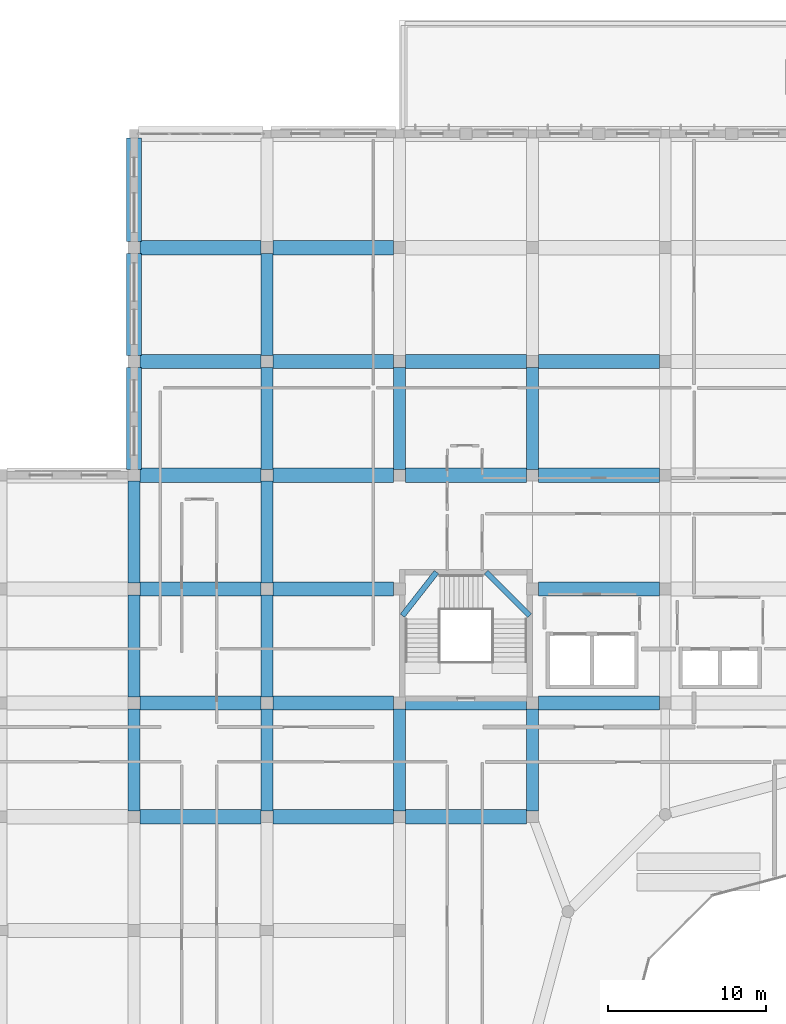
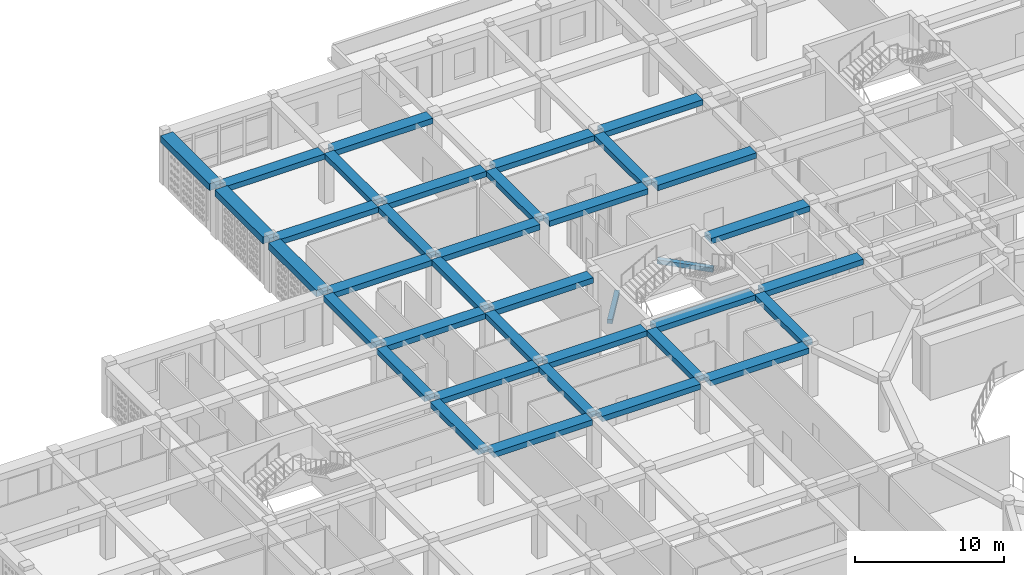
# One storey, part 34 of 111: 37 beams.
"""IFC4 building model written with IfcOpenShell, lengths in metres."""

import ifcopenshell
import ifcopenshell.guid

model = None  # the IFC model being written
_history = None  # IfcOwnerHistory: only IFC2X3 demands one
_inside = {}  # id of a spatial element -> (the spatial element, [elements in it])
_under = {}  # id of a project, library or spatial element -> (it, [spatial elements below it])
_declared = {}  # id of a project -> (the project, [libraries it declares])
_typed = {}  # id of a type object -> (the type object, [elements of that type])
_made_of = {}  # id of a material, layer set ... -> (it, [elements and type objects made of it])


def new_model(schema):
    """Start an empty IFC model of exactly this schema.

    Asked for "IFC4X3", IfcOpenShell would pick the latest addendum, in which some entities
    have other attributes; the version numbers below select the first issue.
    IFC2X3 requires an IfcOwnerHistory on every rooted entity: one is made here for all.
    """
    global model, _history
    if schema == "IFC4X3":
        model = ifcopenshell.file(schema_version=(4, 3, 0, 0))
    else:
        model = ifcopenshell.file(schema=schema)
    _inside.clear()
    _under.clear()
    _declared.clear()
    _typed.clear()
    _made_of.clear()
    _history = None
    if model.schema == "IFC2X3":
        org = make("IfcOrganization", Name="unknown")
        user = make(
            "IfcPersonAndOrganization",
            ThePerson=make("IfcPerson", FamilyName="unknown"),
            TheOrganization=org,
        )
        app = make(
            "IfcApplication",
            ApplicationDeveloper=org,
            Version="unknown",
            ApplicationFullName="unknown",
            ApplicationIdentifier="unknown",
        )
        _history = make(
            "IfcOwnerHistory",
            OwningUser=user,
            OwningApplication=app,
            ChangeAction="ADDED",
            CreationDate=0,
        )
    return model


def make(cls, **values):
    """One entity of the class cls with the attributes given. An attribute that is None is left unset."""
    return model.create_entity(
        cls, **{name: value for name, value in values.items() if value is not None}
    )


def rooted(cls, **values):
    """An entity with a GlobalId (a new one), such as an element, a storey or a relation."""
    return make(cls, GlobalId=ifcopenshell.guid.new(), OwnerHistory=_history, **values)


def si_unit(unit_type, name, prefix=None):
    """IfcSIUnit, for example si_unit("LENGTHUNIT", "METRE", prefix="MILLI")."""
    return make("IfcSIUnit", UnitType=unit_type, Prefix=prefix, Name=name)


def derived_unit(unit_type, elements):
    """IfcDerivedUnit: a product of units, each with its exponent."""
    return make(
        "IfcDerivedUnit",
        Elements=[
            make("IfcDerivedUnitElement", Unit=unit, Exponent=power)
            for unit, power in elements
        ],
        UnitType=unit_type,
    )


def assignment(units):
    """IfcUnitAssignment: the units of a project."""
    return None if units is None else make("IfcUnitAssignment", Units=units)


def point(xyz):
    """IfcCartesianPoint."""
    return None if xyz is None else make("IfcCartesianPoint", Coordinates=xyz)


def direction(xyz):
    """IfcDirection."""
    return None if xyz is None else make("IfcDirection", DirectionRatios=xyz)


def frame(location, z_axis=None, x_axis=None):
    """IfcAxis2Placement3D, a coordinate frame: its origin and axes. An axis left out is left unset."""
    return make(
        "IfcAxis2Placement3D",
        Location=point(location),
        Axis=direction(z_axis),
        RefDirection=direction(x_axis),
    )


def frame_2d(location, x_axis=None):
    """IfcAxis2Placement2D, a coordinate frame in the plane: its origin and x axis."""
    return make(
        "IfcAxis2Placement2D", Location=point(location), RefDirection=direction(x_axis)
    )


def origin():
    """The frame at (0, 0, 0) with its axes left unset."""
    return frame((0.0, 0.0, 0.0))


def origin_2d():
    """The frame at (0, 0) in the plane with its x axis left unset."""
    return frame_2d((0.0, 0.0))


def place(relative_to, where):
    """IfcLocalPlacement: puts the frame where relative to a parent placement (None: the world)."""
    return make(
        "IfcLocalPlacement", PlacementRelTo=relative_to, RelativePlacement=where
    )


def context(
    kind, dimensions, precision=None, world=None, true_north=None, identifier=None
):
    """IfcGeometricRepresentationContext, for example the 3D "Model" context."""
    return make(
        "IfcGeometricRepresentationContext",
        ContextIdentifier=identifier,
        ContextType=kind,
        CoordinateSpaceDimension=dimensions,
        Precision=precision,
        WorldCoordinateSystem=world,
        TrueNorth=true_north,
    )


def subcontext(parent, identifier, kind, view, scale=None):
    """IfcGeometricRepresentationSubContext, for example "Body" below "Model"."""
    return make(
        "IfcGeometricRepresentationSubContext",
        ContextIdentifier=identifier,
        ContextType=kind,
        ParentContext=parent,
        TargetScale=scale,
        TargetView=view,
    )


def project(units=None, contexts=None):
    """IfcProject with its units and contexts."""
    return rooted(
        "IfcProject",
        Name="project",
        RepresentationContexts=contexts,
        UnitsInContext=assignment(units),
    )


def spatial(cls, under=None, at=None, **own):
    """A site, building, storey or space (cls), placed at a placement, below another one or the project."""
    s = rooted(cls, ObjectPlacement=at, **own)
    if under is not None:
        _under.setdefault(under.id(), (under, []))[1].append(s)
    return s


def profile(cls, at=None, kind="AREA", **sizes):
    """A parametric profile (cls). Its sizes go by their IFC names, for example OverallWidth=200.0."""
    return make(cls, ProfileType=kind, Position=at, **sizes)


def rectangle(**sizes):
    """IfcRectangleProfileDef."""
    return profile("IfcRectangleProfileDef", **sizes)


def extrude(swept, where, along, depth):
    """IfcExtrudedAreaSolid: the profile swept, set in the frame where, extruded along a direction by depth."""
    return make(
        "IfcExtrudedAreaSolid",
        SweptArea=swept,
        Position=where,
        ExtrudedDirection=direction(along),
        Depth=depth,
    )


def shape(context_of_items, identifier, shape_type, items):
    """IfcShapeRepresentation: the items that make up one representation, for example the "Body"."""
    return make(
        "IfcShapeRepresentation",
        ContextOfItems=context_of_items,
        RepresentationIdentifier=identifier,
        RepresentationType=shape_type,
        Items=items,
    )


def material(Name=None, Category=None):
    """IfcMaterial."""
    return make("IfcMaterial", Name=Name, Category=Category)


def material_profile(
    of_material, cross_section, Name=None, Category=None, Priority=None
):
    """IfcMaterialProfile: a cross section and its material."""
    return make(
        "IfcMaterialProfile",
        Name=Name,
        Material=of_material,
        Profile=cross_section,
        Priority=Priority,
        Category=Category,
    )


def profile_set(profiles, Name=None, composite=None):
    """IfcMaterialProfileSet."""
    return make(
        "IfcMaterialProfileSet",
        Name=Name,
        MaterialProfiles=profiles,
        CompositeProfile=composite,
    )


def made_of(thing, what):
    """Note that an element or type object is made of a material, layer set ...; save() writes the relation."""
    if what is not None:
        _made_of.setdefault(what.id(), (what, []))[1].append(thing)
    return thing


def type_object(cls, material=None, **own):
    """A type object (cls), such as IfcWallType, which elements share."""
    return made_of(rooted(cls, **own), material)


def element(
    cls,
    number,
    at=None,
    inside=None,
    cuts=None,
    type_object=None,
    material=None,
    context=None,
    identifier="Body",
    shape_type=None,
    held_by="IfcProductDefinitionShape",
    body=None,
    shapes=None,
    **own,
):
    """One element of the class cls, such as IfcWall. Its Tag is "e" and its number.

    at: its placement. inside: the storey or other place that contains it. cuts: it is an
    opening in that element (IfcRelVoidsElement). A single representation is given by context,
    identifier, shape_type and body (its items); several are given by shapes. held_by: the class
    of the entity that holds the representations. save() writes the other relations.
    """
    e = rooted(cls, Tag="e%d" % number, ObjectPlacement=at, **own)
    if body is not None:
        shapes = [shape(context, identifier, shape_type, body)]
    if shapes is not None:
        e.Representation = make(held_by, Representations=shapes)
    if inside is not None:
        _inside.setdefault(inside.id(), (inside, []))[1].append(e)
    if cuts is not None:
        rooted(
            "IfcRelVoidsElement", RelatingBuildingElement=cuts, RelatedOpeningElement=e
        )
    if type_object is not None:
        _typed.setdefault(type_object.id(), (type_object, []))[1].append(e)
    return made_of(e, material)


def aggregate(whole, parts):
    """IfcRelAggregates: a whole, such as a stair, and the parts it consists of."""
    return rooted("IfcRelAggregates", RelatingObject=whole, RelatedObjects=parts)


def save(model, path):
    """Write the relations noted so far, then the file.

    IfcRelAggregates (storeys below a building ...), IfcRelContainedInSpatialStructure (elements
    in a storey), IfcRelDefinesByType, IfcRelAssociatesMaterial and IfcRelDeclares: one each for
    every whole, place, type object, material and project.
    """
    for whole, parts in _under.values():
        aggregate(whole, parts)
    for where, things in _inside.values():
        rooted(
            "IfcRelContainedInSpatialStructure",
            RelatedElements=things,
            RelatingStructure=where,
        )
    for kind, things in _typed.values():
        rooted("IfcRelDefinesByType", RelatedObjects=things, RelatingType=kind)
    for what, things in _made_of.values():
        rooted("IfcRelAssociatesMaterial", RelatedObjects=things, RelatingMaterial=what)
    for by, libraries in _declared.values():
        rooted("IfcRelDeclares", RelatingContext=by, RelatedDefinitions=libraries)
    model.write(path)


model = new_model("IFC4")

# Units and contexts
model_context = context("Model", 3, precision=1e-05, world=origin(), true_north=direction((0.0, 1.0)))
body_context = subcontext(model_context, "Body", "Model", "MODEL_VIEW")
ifc_project = project(units=[si_unit("LENGTHUNIT", "METRE"), si_unit("AREAUNIT", "SQUARE_METRE"), si_unit("VOLUMEUNIT", "CUBIC_METRE"), si_unit("PLANEANGLEUNIT", "RADIAN"), si_unit("MASSUNIT", "GRAM", prefix="KILO"), derived_unit("THERMALTRANSMITTANCEUNIT", [(si_unit("POWERUNIT", "WATT"), 1), (si_unit("LENGTHUNIT", "METRE"), -2), (si_unit("THERMODYNAMICTEMPERATUREUNIT", "KELVIN"), -1)])], contexts=[model_context])

# Site, building, storey
site_placement = place(None, origin())
site = spatial("IfcSite", under=ifc_project, at=site_placement, CompositionType="ELEMENT")
building_placement = place(site_placement, origin())
building = spatial("IfcBuilding", under=site, at=building_placement, Name="Veybourne Emporium", CompositionType="ELEMENT")
storey_placement = place(building_placement, frame((0.0, 0.0, 9.89990234375)))
storey = spatial("IfcBuildingStorey", under=building, at=storey_placement, Name="L02", CompositionType="ELEMENT", Elevation=9.89990234375)

# Beams
ifc_material = material(Name="Concrete C32/40", Category="concrete")
ifc_material_profile_1 = material_profile(ifc_material, rectangle(XDim=0.35009765625, YDim=0.35009765625, at=origin_2d()), Name="RC 350x350")
ifc_profile_set_1 = profile_set([ifc_material_profile_1], Name="Concrete C32/40")
beam_type_1 = type_object("IfcBeamType", Name="LandingBeam_LB-01", PredefinedType="BEAM", material=ifc_profile_set_1)
beam_1_placement = place(storey_placement, frame((50.574951171875, 77.52001953125, 1.125), z_axis=(0.616136975881, 0.787639020714, 0.0), x_axis=(-0.787639020714, 0.616136975881, 0.0)))
element("IfcBeam", 1, at=beam_1_placement, inside=storey, type_object=beam_type_1, Name="L02 ST-03 landing 1 support beam", PredefinedType="BEAM", context=body_context, shape_type="SweptSolid", body=[
    extrude(rectangle(XDim=0.35009765625, YDim=0.35009765625, at=origin_2d()), origin(), (0.0, 0.0, 1.0), 3.49755859375),
])
beam_2_placement = place(storey_placement, frame((55.8701171875, 80.27490234375, 2.625), z_axis=(0.707106781187, -0.707106781187, 0.0), x_axis=(0.707106781187, 0.707106781187, 0.0)))
element("IfcBeam", 2, at=beam_2_placement, inside=storey, type_object=beam_type_1, Name="L02 ST-03 landing 2 support beam", PredefinedType="BEAM", context=body_context, shape_type="SweptSolid", body=[
    extrude(rectangle(XDim=0.35009765625, YDim=0.35009765625, at=origin_2d()), origin(), (0.0, 0.0, 1.0), 3.89599609375),
])
ifc_material_profile_2 = material_profile(ifc_material, rectangle(XDim=0.89990234375, YDim=0.449951171875, at=origin_2d()), Name="RC 900x450")
ifc_profile_set_2 = profile_set([ifc_material_profile_2], Name="Concrete C32/40")
beam_type_2 = type_object("IfcBeamType", Name="RCBeam_BB-03", PredefinedType="BEAM", material=ifc_profile_set_2)
for number, where, z_axis, x_axis, name in (
    (3, (33.97509765625, 64.800048828125, 3.955078125), (1.0, 0.0, 0.0), (0.0, 1.0, 0.0), "L02 X-grid beam BB-03 (4,9)"),
    (4, (33.97509765625, 72.0, 3.955078125), (1.0, 0.0, 0.0), (0.0, 1.0, 0.0), "L02 X-grid beam BB-03 (4,10)"),
    (5, (33.97509765625, 79.199951171875, 3.955078125), (1.0, 0.0, 0.0), (0.0, 1.0, 0.0), "L02 X-grid beam BB-03 (4,11)"),
    (6, (33.97509765625, 86.39990234375, 3.955078125), (1.0, 0.0, 0.0), (0.0, 1.0, 0.0), "L02 X-grid beam BB-03 (4,12)"),
    (7, (33.97509765625, 93.60009765625, 3.955078125), (1.0, 0.0, 0.0), (0.0, 1.0, 0.0), "L02 X-grid beam BB-03 (4,13)"),
    (8, (33.97509765625, 100.800048828125, 3.955078125), (1.0, 0.0, 0.0), (0.0, 1.0, 0.0), "L02 X-grid beam BB-03 (4,14)"),
    (9, (42.375, 64.800048828125, 3.955078125), (1.0, 0.0, 0.0), (0.0, 1.0, 0.0), "L02 X-grid beam BB-03 (5,9)"),
    (10, (42.375, 72.0, 3.955078125), (1.0, 0.0, 0.0), (0.0, 1.0, 0.0), "L02 X-grid beam BB-03 (5,10)"),
    (11, (42.375, 79.199951171875, 3.955078125), (1.0, 0.0, 0.0), (0.0, 1.0, 0.0), "L02 X-grid beam BB-03 (5,11)"),
    (12, (42.375, 86.39990234375, 3.955078125), (1.0, 0.0, 0.0), (0.0, 1.0, 0.0), "L02 X-grid beam BB-03 (5,12)"),
    (13, (42.375, 93.60009765625, 3.955078125), (1.0, 0.0, 0.0), (0.0, 1.0, 0.0), "L02 X-grid beam BB-03 (5,13)"),
    (14, (42.375, 100.800048828125, 3.955078125), (1.0, 0.0, 0.0), (0.0, 1.0, 0.0), "L02 X-grid beam BB-03 (5,14)"),
):
    element("IfcBeam", number, at=place(storey_placement, frame(where, z_axis=z_axis, x_axis=x_axis)), inside=storey, type_object=beam_type_2, Name=name, PredefinedType="BEAM", context=body_context, shape_type="SweptSolid", body=[
        extrude(rectangle(XDim=0.89990234375, YDim=0.449951171875, at=origin_2d()), origin(), (0.0, 0.0, 1.0), 7.64990234375),
    ])
for number, where, z_axis, x_axis, name in (
    (15, (50.77490234375, 64.800048828125, 3.955078125), (1.0, 0.0, 0.0), (0.0, 1.0, 0.0), "L02 X-grid beam BB-03 (6,9)"),
    (16, (50.77490234375, 72.0, 3.955078125), (1.0, 0.0, 0.0), (0.0, 1.0, 0.0), "L02 X-grid beam BB-03 (6,10)"),
    (17, (50.77490234375, 86.39990234375, 3.955078125), (1.0, 0.0, 0.0), (0.0, 1.0, 0.0), "L02 X-grid beam BB-03 (6,12)"),
    (18, (50.77490234375, 93.60009765625, 3.955078125), (1.0, 0.0, 0.0), (0.0, 1.0, 0.0), "L02 X-grid beam BB-03 (6,13)"),
):
    element("IfcBeam", number, at=place(storey_placement, frame(where, z_axis=z_axis, x_axis=x_axis)), inside=storey, type_object=beam_type_2, Name=name, PredefinedType="BEAM", context=body_context, shape_type="SweptSolid", body=[
        extrude(rectangle(XDim=0.89990234375, YDim=0.449951171875, at=origin_2d()), origin(), (0.0, 0.0, 1.0), 7.650146484375),
    ])
for number, where, z_axis, x_axis, name in (
    (19, (59.175048828125, 72.0, 3.955078125), (1.0, 0.0, 0.0), (0.0, 1.0, 0.0), "L02 X-grid beam BB-03 (7,10)"),
    (20, (59.175048828125, 79.199951171875, 3.955078125), (1.0, 0.0, 0.0), (0.0, 1.0, 0.0), "L02 X-grid beam BB-03 (7,11)"),
    (21, (59.175048828125, 86.39990234375, 3.955078125), (1.0, 0.0, 0.0), (0.0, 1.0, 0.0), "L02 X-grid beam BB-03 (7,12)"),
    (22, (59.175048828125, 93.60009765625, 3.955078125), (1.0, 0.0, 0.0), (0.0, 1.0, 0.0), "L02 X-grid beam BB-03 (7,13)"),
):
    element("IfcBeam", number, at=place(storey_placement, frame(where, z_axis=z_axis, x_axis=x_axis)), inside=storey, type_object=beam_type_2, Name=name, PredefinedType="BEAM", context=body_context, shape_type="SweptSolid", body=[
        extrude(rectangle(XDim=0.89990234375, YDim=0.449951171875, at=origin_2d()), origin(), (0.0, 0.0, 1.0), 7.64990234375),
    ])
ifc_material_profile_3 = material_profile(ifc_material, rectangle(XDim=0.75, YDim=0.449951171875, at=origin_2d()), Name="RC 750x450")
ifc_profile_set_3 = profile_set([ifc_material_profile_3], Name="Concrete C32/40")
beam_type_3 = type_object("IfcBeamType", Name="RCBeam_BB-04", PredefinedType="BEAM", material=ifc_profile_set_3)
for number, where, z_axis, x_axis, name in (
    (23, (33.60009765625, 65.175048828125, 3.955078125), (0.0, 1.0, 0.0), (-1.0, 0.0, 0.0), "L02 Y-grid beam BB-04 (4,9)"),
    (24, (33.60009765625, 72.375, 3.955078125), (0.0, 1.0, 0.0), (-1.0, 0.0, 0.0), "L02 Y-grid beam BB-04 (4,10)"),
    (25, (33.60009765625, 79.574951171875, 3.955078125), (0.0, 1.0, 0.0), (-1.0, 0.0, 0.0), "L02 Y-grid beam BB-04 (4,11)"),
    (26, (42.0, 65.175048828125, 3.955078125), (0.0, 1.0, 0.0), (-1.0, 0.0, 0.0), "L02 Y-grid beam BB-04 (5,9)"),
    (27, (42.0, 72.375, 3.955078125), (0.0, 1.0, 0.0), (-1.0, 0.0, 0.0), "L02 Y-grid beam BB-04 (5,10)"),
    (28, (42.0, 79.574951171875, 3.955078125), (0.0, 1.0, 0.0), (-1.0, 0.0, 0.0), "L02 Y-grid beam BB-04 (5,11)"),
):
    element("IfcBeam", number, at=place(storey_placement, frame(where, z_axis=z_axis, x_axis=x_axis)), inside=storey, type_object=beam_type_3, Name=name, PredefinedType="BEAM", context=body_context, shape_type="SweptSolid", body=[
        extrude(rectangle(XDim=0.75, YDim=0.449951171875, at=origin_2d()), origin(), (0.0, 0.0, 1.0), 6.449951171875),
    ])
beam_3_placement = place(storey_placement, frame((42.0, 86.77490234375, 3.955078125), z_axis=(0.0, 1.0, 0.0), x_axis=(-1.0, 0.0, 0.0)))
element("IfcBeam", 29, at=beam_3_placement, inside=storey, type_object=beam_type_3, Name="L02 Y-grid beam BB-04 (5,12)", PredefinedType="BEAM", context=body_context, shape_type="SweptSolid", body=[
    extrude(rectangle(XDim=0.75, YDim=0.449951171875, at=origin_2d()), origin(), (0.0, 0.0, 1.0), 6.4501953125),
])
for number, where, z_axis, x_axis, name in (
    (30, (42.0, 93.97509765625, 3.955078125), (0.0, 1.0, 0.0), (-1.0, 0.0, 0.0), "L02 Y-grid beam BB-04 (5,13)"),
    (31, (50.39990234375, 65.175048828125, 3.955078125), (0.0, 1.0, 0.0), (-1.0, 0.0, 0.0), "L02 Y-grid beam BB-04 (6,9)"),
):
    element("IfcBeam", number, at=place(storey_placement, frame(where, z_axis=z_axis, x_axis=x_axis)), inside=storey, type_object=beam_type_3, Name=name, PredefinedType="BEAM", context=body_context, shape_type="SweptSolid", body=[
        extrude(rectangle(XDim=0.75, YDim=0.449951171875, at=origin_2d()), origin(), (0.0, 0.0, 1.0), 6.449951171875),
    ])
beam_4_placement = place(storey_placement, frame((50.39990234375, 86.77490234375, 3.955078125), z_axis=(0.0, 1.0, 0.0), x_axis=(-1.0, 0.0, 0.0)))
element("IfcBeam", 32, at=beam_4_placement, inside=storey, type_object=beam_type_3, Name="L02 Y-grid beam BB-04 (6,12)", PredefinedType="BEAM", context=body_context, shape_type="SweptSolid", body=[
    extrude(rectangle(XDim=0.75, YDim=0.449951171875, at=origin_2d()), origin(), (0.0, 0.0, 1.0), 6.4501953125),
])
beam_5_placement = place(storey_placement, frame((58.800048828125, 65.175048828125, 3.955078125), z_axis=(0.0, 1.0, 0.0), x_axis=(-1.0, 0.0, 0.0)))
element("IfcBeam", 33, at=beam_5_placement, inside=storey, type_object=beam_type_3, Name="L02 Y-grid beam BB-04 (7,9)", PredefinedType="BEAM", context=body_context, shape_type="SweptSolid", body=[
    extrude(rectangle(XDim=0.75, YDim=0.449951171875, at=origin_2d()), origin(), (0.0, 0.0, 1.0), 6.449951171875),
])
beam_6_placement = place(storey_placement, frame((58.800048828125, 86.77490234375, 3.955078125), z_axis=(0.0, 1.0, 0.0), x_axis=(-1.0, 0.0, 0.0)))
element("IfcBeam", 34, at=beam_6_placement, inside=storey, type_object=beam_type_3, Name="L02 Y-grid beam BB-04 (7,12)", PredefinedType="BEAM", context=body_context, shape_type="SweptSolid", body=[
    extrude(rectangle(XDim=0.75, YDim=0.449951171875, at=origin_2d()), origin(), (0.0, 0.0, 1.0), 6.4501953125),
])
ifc_material_profile_4 = material_profile(ifc_material, rectangle(XDim=0.949951171875, YDim=0.550048828125, at=origin_2d()), Name="RC 950x550")
ifc_profile_set_4 = profile_set([ifc_material_profile_4], Name="Concrete C32/40")
beam_type_4 = type_object("IfcBeamType", Name="RCBeam_EB-01", PredefinedType="SPANDREL", material=ifc_profile_set_4)
beam_7_placement = place(storey_placement, frame((33.60009765625, 86.77490234375, 3.905029296875), z_axis=(0.0, 1.0, 0.0), x_axis=(-1.0, 0.0, 0.0)))
element("IfcBeam", 35, at=beam_7_placement, inside=storey, type_object=beam_type_4, Name="L02 Y-grid beam EB-01 (4,12)", PredefinedType="SPANDREL", context=body_context, shape_type="SweptSolid", body=[
    extrude(rectangle(XDim=0.949951171875, YDim=0.550048828125, at=origin_2d()), origin(), (0.0, 0.0, 1.0), 6.4501953125),
])
beam_8_placement = place(storey_placement, frame((33.60009765625, 93.97509765625, 3.905029296875), z_axis=(0.0, 1.0, 0.0), x_axis=(-1.0, 0.0, 0.0)))
element("IfcBeam", 36, at=beam_8_placement, inside=storey, type_object=beam_type_4, Name="L02 Y-grid beam EB-01 (4,13)", PredefinedType="SPANDREL", context=body_context, shape_type="SweptSolid", body=[
    extrude(rectangle(XDim=0.949951171875, YDim=0.550048828125, at=origin_2d()), origin(), (0.0, 0.0, 1.0), 6.449951171875),
])
beam_9_placement = place(storey_placement, frame((33.60009765625, 101.175048828125, 3.905029296875), z_axis=(0.0, 1.0, 0.0), x_axis=(-1.0, 0.0, 0.0)))
element("IfcBeam", 37, at=beam_9_placement, inside=storey, type_object=beam_type_4, Name="L02 Y-grid beam EB-01 (4,14)", PredefinedType="SPANDREL", context=body_context, shape_type="SweptSolid", body=[
    extrude(rectangle(XDim=0.949951171875, YDim=0.550048828125, at=origin_2d()), origin(), (0.0, 0.0, 1.0), 6.550048828125),
])

save(model, "model.ifc")
